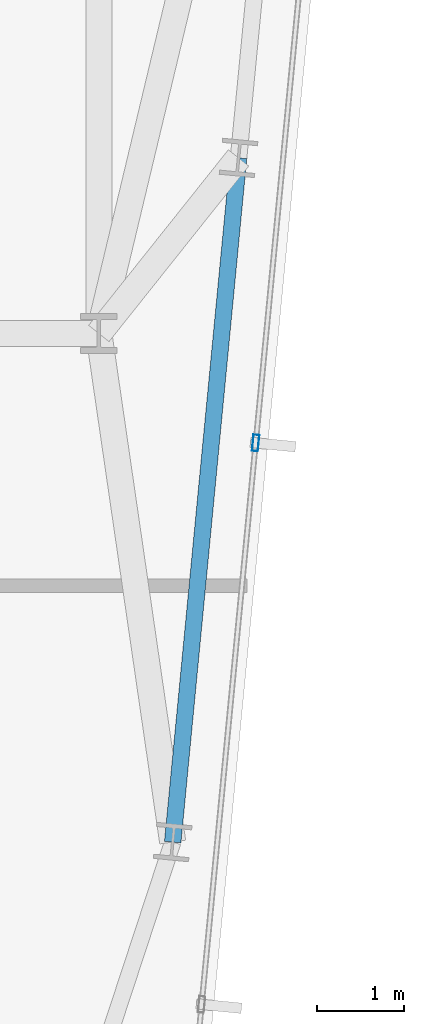
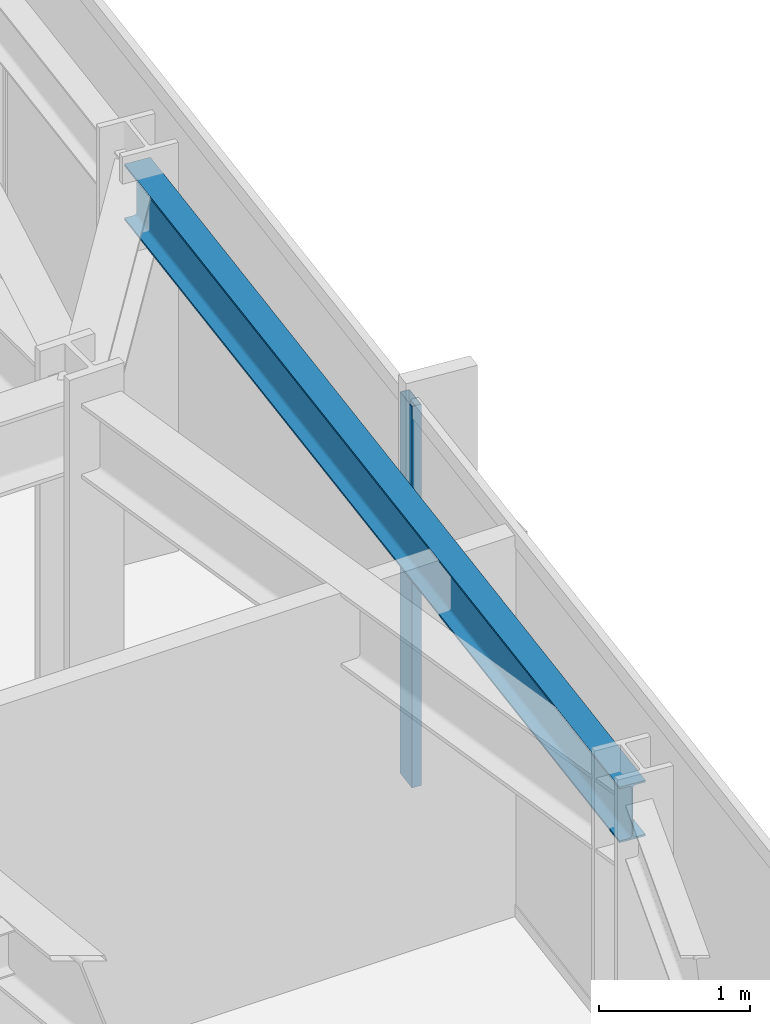
# One storey, part 16 of 37: 1 beam, 1 member, 1 element without a shape of its own.
"""IFC4 building model written with IfcOpenShell, lengths in metres."""

from ifc_helpers import new_model, si_unit, direction, frame, origin, origin_2d, place, context, subcontext, project, spatial, hollow_rectangle, i_section, extrude, material, material_profile, profile_set, type_object, element, aggregate, save


model = new_model("IFC4")

# Units and contexts
model_context = context("Model", 3, precision=1e-05, world=origin(), true_north=direction((0.0, 1.0)))
body_context = subcontext(model_context, "Body", "Model", "MODEL_VIEW")
ifc_project = project(units=[si_unit("LENGTHUNIT", "METRE"), si_unit("AREAUNIT", "SQUARE_METRE"), si_unit("VOLUMEUNIT", "CUBIC_METRE"), si_unit("PLANEANGLEUNIT", "RADIAN"), si_unit("MASSUNIT", "GRAM", prefix="KILO")], contexts=[model_context])

# Site, building, storey
site_placement = place(None, origin())
site = spatial("IfcSite", under=ifc_project, at=site_placement, CompositionType="ELEMENT")
building_placement = place(site_placement, origin())
building = spatial("IfcBuilding", under=site, at=building_placement, Name="Yelkora Congress Tower", CompositionType="ELEMENT")
storey_placement = place(building_placement, frame((0.0, 0.0, 168.800048828125)))
storey = spatial("IfcBuildingStorey", under=building, at=storey_placement, Name="L46", CompositionType="ELEMENT", Elevation=168.800048828125)

# Beam
ifc_material_1 = material(Name="Steel S355J2", Category="steel")
ifc_material_profile_1 = material_profile(ifc_material_1, i_section(OverallWidth=0.18994140625, OverallDepth=0.449951171875, WebThickness=0.009521484375, FlangeThickness=0.0146484375, FilletRadius=0.02099609375, at=origin_2d()), Name="IPE 450")
ifc_profile_set_1 = profile_set([ifc_material_profile_1], Name="Steel S355J2")
beam_type = type_object("IfcBeamType", Name="BM-SPAN-IPE450", PredefinedType="SPANDREL", material=ifc_profile_set_1)
beam_placement = place(storey_placement, frame((58.44921875, 19.353759765625, 2.85498046875), z_axis=(0.095831353931, 0.995397584689, 0.0), x_axis=(-0.995397584689, 0.095831353931, 0.0)))
element("IfcBeam", 1, at=beam_placement, inside=storey, type_object=beam_type, Name="L46 Perimeter Beam 10", PredefinedType="SPANDREL", context=body_context, shape_type="SweptSolid", body=[
    extrude(i_section(OverallWidth=0.18994140625, OverallDepth=0.449951171875, WebThickness=0.009521484375, FlangeThickness=0.0146484375, FilletRadius=0.02099609375, at=origin_2d()), origin(), (0.0, 0.0, 1.0), 7.900146484375),
])

# Curtain wall, member
ifc_material_2 = material(Name="Anodised aluminium and insulated glass", Category="aluminium")
curtain_wall_type = type_object("IfcCurtainWallType", Name="CW-SYS-B3", PredefinedType="NOTDEFINED", material=ifc_material_2)
curtain_wall_placement = place(storey_placement, origin())
curtain_wall = element("IfcCurtainWall", 2, at=curtain_wall_placement, inside=storey, type_object=curtain_wall_type, Name="L46 Unitised Curtain Wall 15", PredefinedType="NOTDEFINED")
ifc_material_3 = material(Name="Anodised aluminium 6063-T6", Category="aluminium")
ifc_material_profile_2 = material_profile(ifc_material_3, hollow_rectangle(XDim=0.070068359375, YDim=0.18994140625, WallThickness=0.00390625, at=origin_2d()), Name="ALU 70x190x4")
ifc_profile_set_2 = profile_set([ifc_material_profile_2], Name="Anodised aluminium 6063-T6")
member_type = type_object("IfcMemberType", Name="MEM-ML-B3", PredefinedType="MULLION", material=ifc_profile_set_2)
member_placement = place(storey_placement, frame((59.4033203125, 23.94140625, 0.0), z_axis=(0.0, 0.0, 1.0), x_axis=(0.995396565076, -0.095841944023, 0.0)))
member = element("IfcMember", 3, at=member_placement, type_object=member_type, Name="CW-B3 mullion 4", PredefinedType="MULLION", context=body_context, shape_type="SweptSolid", body=[
    extrude(hollow_rectangle(XDim=0.070068359375, YDim=0.18994140625, WallThickness=0.00390625, at=origin_2d()), origin(), (0.0, 0.0, 1.0), 3.079833984375),
])
aggregate(curtain_wall, [member])

save(model, "model.ifc")
